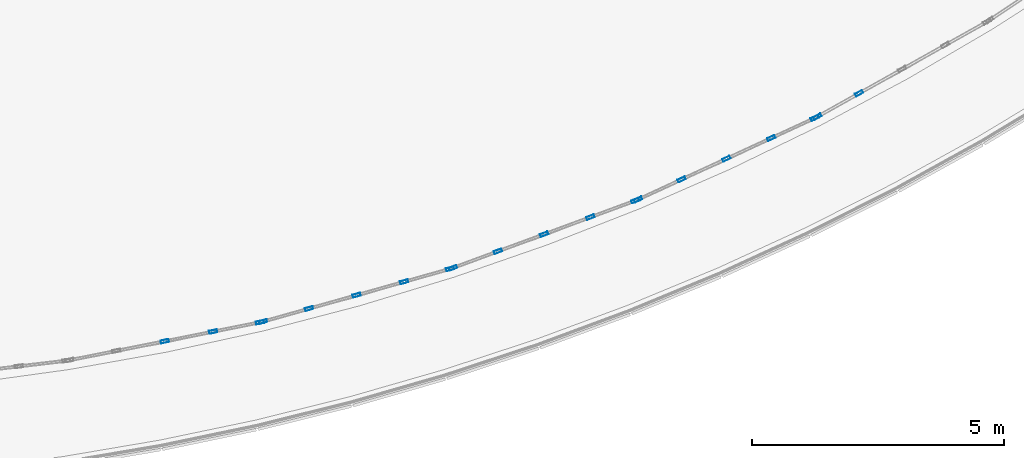
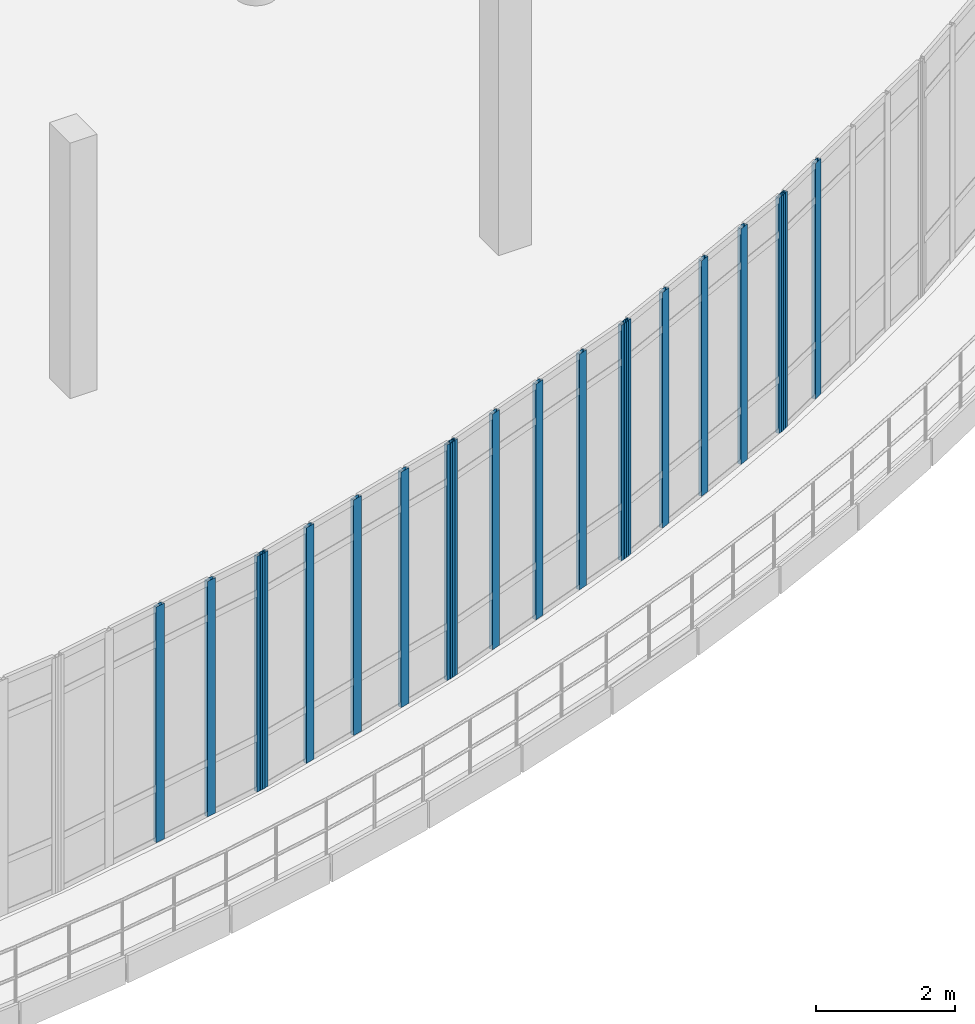
# One storey, part 28 of 134: 20 members, 5 elements without a shape of their own.
"""IFC4 building model written with IfcOpenShell, lengths in metres."""

from ifc_helpers import new_model, si_unit, direction, frame, origin, origin_2d, place, context, subcontext, project, spatial, hollow_rectangle, extrude, material, material_profile, profile_set, type_object, element, aggregate, save


model = new_model("IFC4")

# Units and contexts
model_context = context("Model", 3, precision=1e-05, world=origin(), true_north=direction((0.0, 1.0)))
body_context = subcontext(model_context, "Body", "Model", "MODEL_VIEW")
ifc_project = project(units=[si_unit("LENGTHUNIT", "METRE"), si_unit("AREAUNIT", "SQUARE_METRE"), si_unit("VOLUMEUNIT", "CUBIC_METRE"), si_unit("PLANEANGLEUNIT", "RADIAN"), si_unit("MASSUNIT", "GRAM", prefix="KILO")], contexts=[model_context])

# Site, building, storey
site_placement = place(None, origin())
site = spatial("IfcSite", under=ifc_project, at=site_placement, CompositionType="ELEMENT")
building_placement = place(site_placement, origin())
building = spatial("IfcBuilding", under=site, at=building_placement, Name="Kalluvel Institute of Natural Sciences", CompositionType="ELEMENT")
storey_placement = place(building_placement, frame((0.0, 0.0, 5.39990234375)))
storey = spatial("IfcBuildingStorey", under=building, at=storey_placement, Name="L01", CompositionType="ELEMENT", Elevation=5.39990234375)

# Curtain wall, members
ifc_material = material(Name="Aluminium AW-6063 T6", Category="aluminium")
curtain_wall_type = type_object("IfcCurtainWallType", Name="CW-ATR-ARC", PredefinedType="USERDEFINED", material=ifc_material)
curtain_wall_1_placement = place(storey_placement, origin())
curtain_wall_1 = element("IfcCurtainWall", 1, at=curtain_wall_1_placement, inside=storey, type_object=curtain_wall_type, Name="L01 Gothic lancet curtain wall CWA-L01-X434-Y535", ObjectType="UNITISED LANCET FACADE", PredefinedType="USERDEFINED")
ifc_material_profile = material_profile(ifc_material, hollow_rectangle(XDim=0.06005859375, YDim=0.159912109375, WallThickness=0.00390625, at=origin_2d()), Name="CWM 60x160")
ifc_profile_set = profile_set([ifc_material_profile], Name="Aluminium AW-6063 T6")
member_type = type_object("IfcMemberType", Name="CWM-60x160", PredefinedType="MULLION", material=ifc_profile_set)
member_1_placement = place(storey_placement, frame((45.337158203125, 53.84765625, 0.0), z_axis=(0.0, 0.0, 1.0), x_axis=(-0.195076537251, 0.980788022263, 0.0)))
member_1 = element("IfcMember", 2, at=member_1_placement, type_object=member_type, Name="CW-05 mullion 3", PredefinedType="MULLION", context=body_context, shape_type="SweptSolid", body=[
    extrude(hollow_rectangle(XDim=0.06005859375, YDim=0.159912109375, WallThickness=0.00390625, at=origin_2d()), origin(), (0.0, 0.0, 1.0), 4.150146484375),
])
member_2_placement = place(storey_placement, frame((46.298828125, 54.038818359375, 0.0), z_axis=(0.0, 0.0, 1.0), x_axis=(-0.195076537251, 0.980788022263, 0.0)))
member_2 = element("IfcMember", 3, at=member_2_placement, type_object=member_type, Name="CW-05 mullion 4", PredefinedType="MULLION", context=body_context, shape_type="SweptSolid", body=[
    extrude(hollow_rectangle(XDim=0.06005859375, YDim=0.159912109375, WallThickness=0.00390625, at=origin_2d()), origin(), (0.0, 0.0, 1.0), 4.150146484375),
])
member_3_placement = place(storey_placement, frame((47.231201171875, 54.224365234375, 0.0), z_axis=(0.0, 0.0, 1.0), x_axis=(-0.195076537251, 0.980788022263, 0.0)))
member_3 = element("IfcMember", 4, at=member_3_placement, type_object=member_type, Name="CW-05 mullion 5", PredefinedType="MULLION", context=body_context, shape_type="SweptSolid", body=[
    extrude(hollow_rectangle(XDim=0.06005859375, YDim=0.159912109375, WallThickness=0.00390625, at=origin_2d()), origin(), (0.0, 0.0, 1.0), 4.150146484375),
])
aggregate(curtain_wall_1, [member_1, member_2, member_3])

curtain_wall_2_placement = place(storey_placement, origin())
curtain_wall_2 = element("IfcCurtainWall", 5, at=curtain_wall_2_placement, inside=storey, type_object=curtain_wall_type, Name="L01 Gothic lancet curtain wall CWA-L01-X473-Y542", ObjectType="UNITISED LANCET FACADE", PredefinedType="USERDEFINED")
member_4_placement = place(storey_placement, frame((47.28955078125, 54.23828125, 0.0), z_axis=(0.0, 0.0, 1.0), x_axis=(-0.271439574924, 0.962455483212, 0.0)))
member_4 = element("IfcMember", 6, at=member_4_placement, type_object=member_type, Name="CW-05 mullion 1", PredefinedType="MULLION", context=body_context, shape_type="SweptSolid", body=[
    extrude(hollow_rectangle(XDim=0.06005859375, YDim=0.159912109375, WallThickness=0.00390625, at=origin_2d()), origin(), (0.0, 0.0, 1.0), 4.150146484375),
])
member_5_placement = place(storey_placement, frame((48.204345703125, 54.496337890625, 0.0), z_axis=(0.0, 0.0, 1.0), x_axis=(-0.271439574924, 0.962455483212, 0.0)))
member_5 = element("IfcMember", 7, at=member_5_placement, type_object=member_type, Name="CW-05 mullion 2", PredefinedType="MULLION", context=body_context, shape_type="SweptSolid", body=[
    extrude(hollow_rectangle(XDim=0.06005859375, YDim=0.159912109375, WallThickness=0.00390625, at=origin_2d()), origin(), (0.0, 0.0, 1.0), 4.150146484375),
])
member_6_placement = place(storey_placement, frame((49.14794921875, 54.762451171875, 0.0), z_axis=(0.0, 0.0, 1.0), x_axis=(-0.271439574924, 0.962455483212, 0.0)))
member_6 = element("IfcMember", 8, at=member_6_placement, type_object=member_type, Name="CW-05 mullion 3", PredefinedType="MULLION", context=body_context, shape_type="SweptSolid", body=[
    extrude(hollow_rectangle(XDim=0.06005859375, YDim=0.159912109375, WallThickness=0.00390625, at=origin_2d()), origin(), (0.0, 0.0, 1.0), 4.150146484375),
])
member_7_placement = place(storey_placement, frame((50.091796875, 55.028564453125, 0.0), z_axis=(0.0, 0.0, 1.0), x_axis=(-0.271439574924, 0.962455483212, 0.0)))
member_7 = element("IfcMember", 9, at=member_7_placement, type_object=member_type, Name="CW-05 mullion 4", PredefinedType="MULLION", context=body_context, shape_type="SweptSolid", body=[
    extrude(hollow_rectangle(XDim=0.06005859375, YDim=0.159912109375, WallThickness=0.00390625, at=origin_2d()), origin(), (0.0, 0.0, 1.0), 4.150146484375),
])
member_8_placement = place(storey_placement, frame((51.006591796875, 55.28662109375, 0.0), z_axis=(0.0, 0.0, 1.0), x_axis=(-0.271439574924, 0.962455483212, 0.0)))
member_8 = element("IfcMember", 10, at=member_8_placement, type_object=member_type, Name="CW-05 mullion 5", PredefinedType="MULLION", context=body_context, shape_type="SweptSolid", body=[
    extrude(hollow_rectangle(XDim=0.06005859375, YDim=0.159912109375, WallThickness=0.00390625, at=origin_2d()), origin(), (0.0, 0.0, 1.0), 4.150146484375),
])
aggregate(curtain_wall_2, [member_4, member_5, member_6, member_7, member_8])

curtain_wall_3_placement = place(storey_placement, origin())
curtain_wall_3 = element("IfcCurtainWall", 11, at=curtain_wall_3_placement, inside=storey, type_object=curtain_wall_type, Name="L01 Gothic lancet curtain wall CWA-L01-X510-Y553", ObjectType="UNITISED LANCET FACADE", PredefinedType="USERDEFINED")
member_9_placement = place(storey_placement, frame((51.0634765625, 55.30517578125, 0.0), z_axis=(0.0, 0.0, 1.0), x_axis=(-0.346122419058, 0.938189357766, 0.0)))
member_9 = element("IfcMember", 12, at=member_9_placement, type_object=member_type, Name="CW-05 mullion 1", PredefinedType="MULLION", context=body_context, shape_type="SweptSolid", body=[
    extrude(hollow_rectangle(XDim=0.06005859375, YDim=0.159912109375, WallThickness=0.00390625, at=origin_2d()), origin(), (0.0, 0.0, 1.0), 4.150146484375),
])
member_10_placement = place(storey_placement, frame((51.955322265625, 55.634033203125, 0.0), z_axis=(0.0, 0.0, 1.0), x_axis=(-0.346122419058, 0.938189357766, 0.0)))
member_10 = element("IfcMember", 13, at=member_10_placement, type_object=member_type, Name="CW-05 mullion 2", PredefinedType="MULLION", context=body_context, shape_type="SweptSolid", body=[
    extrude(hollow_rectangle(XDim=0.06005859375, YDim=0.159912109375, WallThickness=0.00390625, at=origin_2d()), origin(), (0.0, 0.0, 1.0), 4.150146484375),
])
member_11_placement = place(storey_placement, frame((52.875244140625, 55.973388671875, 0.0), z_axis=(0.0, 0.0, 1.0), x_axis=(-0.346122419058, 0.938189357766, 0.0)))
member_11 = element("IfcMember", 14, at=member_11_placement, type_object=member_type, Name="CW-05 mullion 3", PredefinedType="MULLION", context=body_context, shape_type="SweptSolid", body=[
    extrude(hollow_rectangle(XDim=0.06005859375, YDim=0.159912109375, WallThickness=0.00390625, at=origin_2d()), origin(), (0.0, 0.0, 1.0), 4.150146484375),
])
member_12_placement = place(storey_placement, frame((53.795166015625, 56.312744140625, 0.0), z_axis=(0.0, 0.0, 1.0), x_axis=(-0.346122419058, 0.938189357766, 0.0)))
member_12 = element("IfcMember", 15, at=member_12_placement, type_object=member_type, Name="CW-05 mullion 4", PredefinedType="MULLION", context=body_context, shape_type="SweptSolid", body=[
    extrude(hollow_rectangle(XDim=0.06005859375, YDim=0.159912109375, WallThickness=0.00390625, at=origin_2d()), origin(), (0.0, 0.0, 1.0), 4.150146484375),
])
member_13_placement = place(storey_placement, frame((54.686767578125, 56.641845703125, 0.0), z_axis=(0.0, 0.0, 1.0), x_axis=(-0.346122419058, 0.938189357766, 0.0)))
member_13 = element("IfcMember", 16, at=member_13_placement, type_object=member_type, Name="CW-05 mullion 5", PredefinedType="MULLION", context=body_context, shape_type="SweptSolid", body=[
    extrude(hollow_rectangle(XDim=0.06005859375, YDim=0.159912109375, WallThickness=0.00390625, at=origin_2d()), origin(), (0.0, 0.0, 1.0), 4.150146484375),
])
aggregate(curtain_wall_3, [member_9, member_10, member_11, member_12, member_13])

curtain_wall_4_placement = place(storey_placement, origin())
curtain_wall_4 = element("IfcCurtainWall", 17, at=curtain_wall_4_placement, inside=storey, type_object=curtain_wall_type, Name="L01 Gothic lancet curtain wall CWA-L01-X547-Y567", ObjectType="UNITISED LANCET FACADE", PredefinedType="USERDEFINED")
member_14_placement = place(storey_placement, frame((54.7421875, 56.664794921875, 0.0), z_axis=(0.0, 0.0, 1.0), x_axis=(-0.418657153068, 0.908144365277, 0.0)))
member_14 = element("IfcMember", 18, at=member_14_placement, type_object=member_type, Name="CW-05 mullion 1", PredefinedType="MULLION", context=body_context, shape_type="SweptSolid", body=[
    extrude(hollow_rectangle(XDim=0.06005859375, YDim=0.159912109375, WallThickness=0.00390625, at=origin_2d()), origin(), (0.0, 0.0, 1.0), 4.150146484375),
])
member_15_placement = place(storey_placement, frame((55.60546875, 57.062744140625, 0.0), z_axis=(0.0, 0.0, 1.0), x_axis=(-0.418657153068, 0.908144365277, 0.0)))
member_15 = element("IfcMember", 19, at=member_15_placement, type_object=member_type, Name="CW-05 mullion 2", PredefinedType="MULLION", context=body_context, shape_type="SweptSolid", body=[
    extrude(hollow_rectangle(XDim=0.06005859375, YDim=0.159912109375, WallThickness=0.00390625, at=origin_2d()), origin(), (0.0, 0.0, 1.0), 4.150146484375),
])
member_16_placement = place(storey_placement, frame((56.495849609375, 57.47314453125, 0.0), z_axis=(0.0, 0.0, 1.0), x_axis=(-0.418657153068, 0.908144365277, 0.0)))
member_16 = element("IfcMember", 20, at=member_16_placement, type_object=member_type, Name="CW-05 mullion 3", PredefinedType="MULLION", context=body_context, shape_type="SweptSolid", body=[
    extrude(hollow_rectangle(XDim=0.06005859375, YDim=0.159912109375, WallThickness=0.00390625, at=origin_2d()), origin(), (0.0, 0.0, 1.0), 4.150146484375),
])
member_17_placement = place(storey_placement, frame((57.38623046875, 57.8837890625, 0.0), z_axis=(0.0, 0.0, 1.0), x_axis=(-0.418657153068, 0.908144365277, 0.0)))
member_17 = element("IfcMember", 21, at=member_17_placement, type_object=member_type, Name="CW-05 mullion 4", PredefinedType="MULLION", context=body_context, shape_type="SweptSolid", body=[
    extrude(hollow_rectangle(XDim=0.06005859375, YDim=0.159912109375, WallThickness=0.00390625, at=origin_2d()), origin(), (0.0, 0.0, 1.0), 4.150146484375),
])
member_18_placement = place(storey_placement, frame((58.24951171875, 58.28173828125, 0.0), z_axis=(0.0, 0.0, 1.0), x_axis=(-0.418657153068, 0.908144365277, 0.0)))
member_18 = element("IfcMember", 22, at=member_18_placement, type_object=member_type, Name="CW-05 mullion 5", PredefinedType="MULLION", context=body_context, shape_type="SweptSolid", body=[
    extrude(hollow_rectangle(XDim=0.06005859375, YDim=0.159912109375, WallThickness=0.00390625, at=origin_2d()), origin(), (0.0, 0.0, 1.0), 4.150146484375),
])
aggregate(curtain_wall_4, [member_14, member_15, member_16, member_17, member_18])

curtain_wall_5_placement = place(storey_placement, origin())
curtain_wall_5 = element("IfcCurtainWall", 23, at=curtain_wall_5_placement, inside=storey, type_object=curtain_wall_type, Name="L01 Gothic lancet curtain wall CWA-L01-X583-Y583", ObjectType="UNITISED LANCET FACADE", PredefinedType="USERDEFINED")
member_19_placement = place(storey_placement, frame((58.302978515625, 58.308837890625, 0.0), z_axis=(0.0, 0.0, 1.0), x_axis=(-0.488618896684, 0.872497320227, 0.0)))
member_19 = element("IfcMember", 24, at=member_19_placement, type_object=member_type, Name="CW-05 mullion 1", PredefinedType="MULLION", context=body_context, shape_type="SweptSolid", body=[
    extrude(hollow_rectangle(XDim=0.06005859375, YDim=0.159912109375, WallThickness=0.00390625, at=origin_2d()), origin(), (0.0, 0.0, 1.0), 4.150146484375),
])
member_20_placement = place(storey_placement, frame((59.13232421875, 58.773193359375, 0.0), z_axis=(0.0, 0.0, 1.0), x_axis=(-0.488618896684, 0.872497320227, 0.0)))
member_20 = element("IfcMember", 25, at=member_20_placement, type_object=member_type, Name="CW-05 mullion 2", PredefinedType="MULLION", context=body_context, shape_type="SweptSolid", body=[
    extrude(hollow_rectangle(XDim=0.06005859375, YDim=0.159912109375, WallThickness=0.00390625, at=origin_2d()), origin(), (0.0, 0.0, 1.0), 4.150146484375),
])
aggregate(curtain_wall_5, [member_19, member_20])

save(model, "model.ifc")
